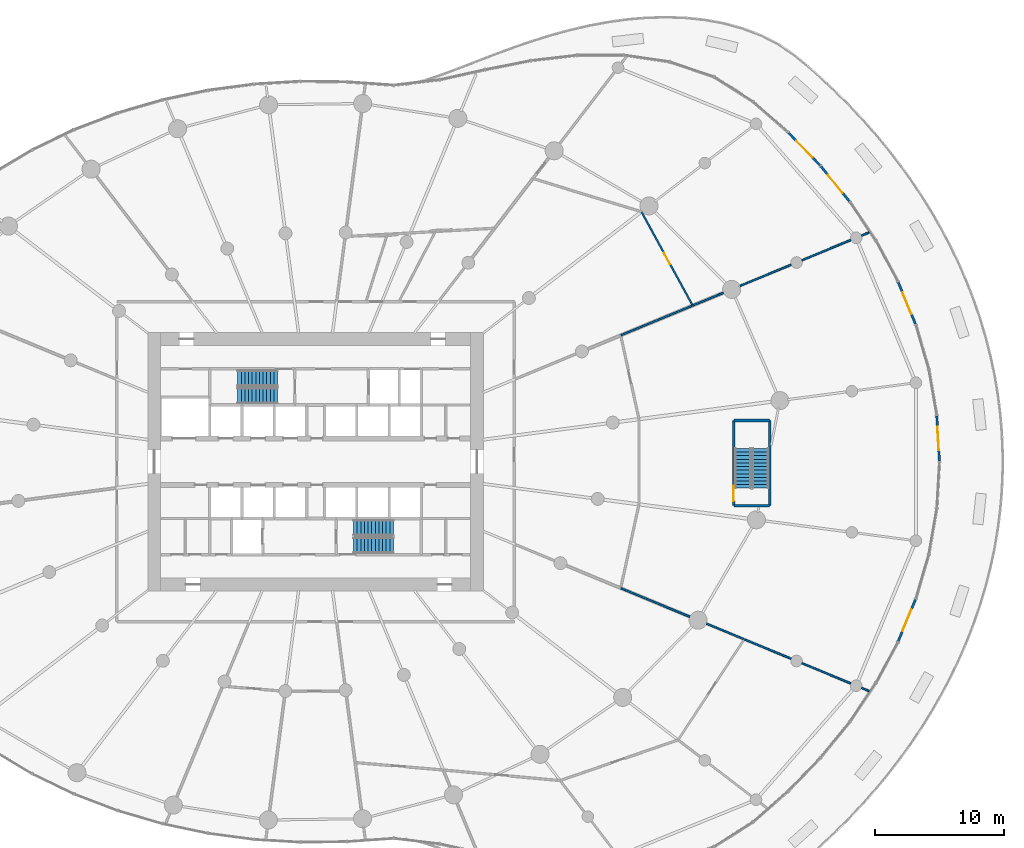
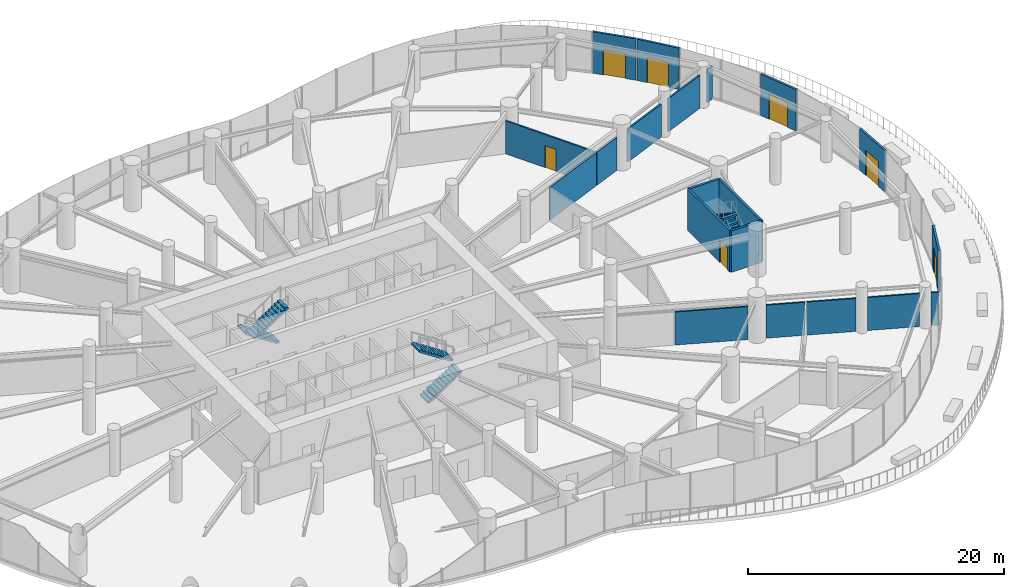
# One storey, part 16 of 21: 20 walls, 7 doors, 6 stair flights, 7 openings, 3 elements without a shape of their own.
"""IFC4 building model written with IfcOpenShell, lengths in metres."""

import ifcopenshell
import ifcopenshell.guid

model = None  # the IFC model being written
_history = None  # IfcOwnerHistory: only IFC2X3 demands one
_inside = {}  # id of a spatial element -> (the spatial element, [elements in it])
_under = {}  # id of a project, library or spatial element -> (it, [spatial elements below it])
_declared = {}  # id of a project -> (the project, [libraries it declares])
_typed = {}  # id of a type object -> (the type object, [elements of that type])
_made_of = {}  # id of a material, layer set ... -> (it, [elements and type objects made of it])


def new_model(schema):
    """Start an empty IFC model of exactly this schema.

    Asked for "IFC4X3", IfcOpenShell would pick the latest addendum, in which some entities
    have other attributes; the version numbers below select the first issue.
    IFC2X3 requires an IfcOwnerHistory on every rooted entity: one is made here for all.
    """
    global model, _history
    if schema == "IFC4X3":
        model = ifcopenshell.file(schema_version=(4, 3, 0, 0))
    else:
        model = ifcopenshell.file(schema=schema)
    _inside.clear()
    _under.clear()
    _declared.clear()
    _typed.clear()
    _made_of.clear()
    _history = None
    if model.schema == "IFC2X3":
        org = make("IfcOrganization", Name="unknown")
        user = make(
            "IfcPersonAndOrganization",
            ThePerson=make("IfcPerson", FamilyName="unknown"),
            TheOrganization=org,
        )
        app = make(
            "IfcApplication",
            ApplicationDeveloper=org,
            Version="unknown",
            ApplicationFullName="unknown",
            ApplicationIdentifier="unknown",
        )
        _history = make(
            "IfcOwnerHistory",
            OwningUser=user,
            OwningApplication=app,
            ChangeAction="ADDED",
            CreationDate=0,
        )
    return model


def make(cls, **values):
    """One entity of the class cls with the attributes given. An attribute that is None is left unset."""
    return model.create_entity(
        cls, **{name: value for name, value in values.items() if value is not None}
    )


def rooted(cls, **values):
    """An entity with a GlobalId (a new one), such as an element, a storey or a relation."""
    return make(cls, GlobalId=ifcopenshell.guid.new(), OwnerHistory=_history, **values)


def si_unit(unit_type, name, prefix=None):
    """IfcSIUnit, for example si_unit("LENGTHUNIT", "METRE", prefix="MILLI")."""
    return make("IfcSIUnit", UnitType=unit_type, Prefix=prefix, Name=name)


def assignment(units):
    """IfcUnitAssignment: the units of a project."""
    return None if units is None else make("IfcUnitAssignment", Units=units)


def point(xyz):
    """IfcCartesianPoint."""
    return None if xyz is None else make("IfcCartesianPoint", Coordinates=xyz)


def direction(xyz):
    """IfcDirection."""
    return None if xyz is None else make("IfcDirection", DirectionRatios=xyz)


def frame(location, z_axis=None, x_axis=None):
    """IfcAxis2Placement3D, a coordinate frame: its origin and axes. An axis left out is left unset."""
    return make(
        "IfcAxis2Placement3D",
        Location=point(location),
        Axis=direction(z_axis),
        RefDirection=direction(x_axis),
    )


def frame_2d(location, x_axis=None):
    """IfcAxis2Placement2D, a coordinate frame in the plane: its origin and x axis."""
    return make(
        "IfcAxis2Placement2D", Location=point(location), RefDirection=direction(x_axis)
    )


def origin():
    """The frame at (0, 0, 0) with its axes left unset."""
    return frame((0.0, 0.0, 0.0))


def place(relative_to, where):
    """IfcLocalPlacement: puts the frame where relative to a parent placement (None: the world)."""
    return make(
        "IfcLocalPlacement", PlacementRelTo=relative_to, RelativePlacement=where
    )


def context(
    kind, dimensions, precision=None, world=None, true_north=None, identifier=None
):
    """IfcGeometricRepresentationContext, for example the 3D "Model" context."""
    return make(
        "IfcGeometricRepresentationContext",
        ContextIdentifier=identifier,
        ContextType=kind,
        CoordinateSpaceDimension=dimensions,
        Precision=precision,
        WorldCoordinateSystem=world,
        TrueNorth=true_north,
    )


def subcontext(parent, identifier, kind, view, scale=None):
    """IfcGeometricRepresentationSubContext, for example "Body" below "Model"."""
    return make(
        "IfcGeometricRepresentationSubContext",
        ContextIdentifier=identifier,
        ContextType=kind,
        ParentContext=parent,
        TargetScale=scale,
        TargetView=view,
    )


def project(units=None, contexts=None):
    """IfcProject with its units and contexts."""
    return rooted(
        "IfcProject",
        Name="project",
        RepresentationContexts=contexts,
        UnitsInContext=assignment(units),
    )


def spatial(cls, under=None, at=None, **own):
    """A site, building, storey or space (cls), placed at a placement, below another one or the project."""
    s = rooted(cls, ObjectPlacement=at, **own)
    if under is not None:
        _under.setdefault(under.id(), (under, []))[1].append(s)
    return s


def point_list(points):
    """IfcCartesianPointList2D or 3D."""
    cls = (
        "IfcCartesianPointList2D" if len(points[0]) == 2 else "IfcCartesianPointList3D"
    )
    return make(cls, CoordList=points)


def line(*indices):
    """IfcLineIndex: a straight run through numbered points of an indexed curve."""
    return model.create_entity("IfcLineIndex", indices)


def indexed_curve(points, segments=None, self_intersect=None):
    """IfcIndexedPolyCurve: lines and arcs through numbered points (the first is 1)."""
    return make(
        "IfcIndexedPolyCurve",
        Points=point_list(points),
        Segments=segments,
        SelfIntersect=self_intersect,
    )


def profile(cls, at=None, kind="AREA", **sizes):
    """A parametric profile (cls). Its sizes go by their IFC names, for example OverallWidth=200.0."""
    return make(cls, ProfileType=kind, Position=at, **sizes)


def rectangle(**sizes):
    """IfcRectangleProfileDef."""
    return profile("IfcRectangleProfileDef", **sizes)


def outline(outer, holes=None, kind="AREA"):
    """IfcArbitraryClosedProfileDef: a profile drawn as a closed curve; with holes, ...WithVoids."""
    if holes is None:
        return make("IfcArbitraryClosedProfileDef", ProfileType=kind, OuterCurve=outer)
    return make(
        "IfcArbitraryProfileDefWithVoids",
        ProfileType=kind,
        OuterCurve=outer,
        InnerCurves=holes,
    )


def extrude(swept, where, along, depth):
    """IfcExtrudedAreaSolid: the profile swept, set in the frame where, extruded along a direction by depth."""
    return make(
        "IfcExtrudedAreaSolid",
        SweptArea=swept,
        Position=where,
        ExtrudedDirection=direction(along),
        Depth=depth,
    )


def shape(context_of_items, identifier, shape_type, items):
    """IfcShapeRepresentation: the items that make up one representation, for example the "Body"."""
    return make(
        "IfcShapeRepresentation",
        ContextOfItems=context_of_items,
        RepresentationIdentifier=identifier,
        RepresentationType=shape_type,
        Items=items,
    )


def source(mapping_origin, context_of_items, identifier, shape_type, items):
    """IfcRepresentationMap: a shape defined once, which mapped items show again and again."""
    return make(
        "IfcRepresentationMap",
        MappingOrigin=mapping_origin,
        MappedRepresentation=shape(context_of_items, identifier, shape_type, items),
    )


def transform(
    local_origin,
    x_axis=None,
    y_axis=None,
    z_axis=None,
    scale=None,
    scale2=None,
    scale3=None,
    uniform=True,
):
    """IfcCartesianTransformationOperator3D, or its non-uniform kind. x_axis, y_axis, z_axis: its Axis1, 2, 3."""
    if uniform:
        return make(
            "IfcCartesianTransformationOperator3D",
            Axis1=direction(x_axis),
            Axis2=direction(y_axis),
            LocalOrigin=point(local_origin),
            Scale=scale,
            Axis3=direction(z_axis),
        )
    return make(
        "IfcCartesianTransformationOperator3DnonUniform",
        Axis1=direction(x_axis),
        Axis2=direction(y_axis),
        LocalOrigin=point(local_origin),
        Scale=scale,
        Axis3=direction(z_axis),
        Scale2=scale2,
        Scale3=scale3,
    )


def mapped(mapping_source, mapping_target):
    """IfcMappedItem: shows the shape of a source again, moved by a transform."""
    return make(
        "IfcMappedItem", MappingSource=mapping_source, MappingTarget=mapping_target
    )


def material(Name=None, Category=None):
    """IfcMaterial."""
    return make("IfcMaterial", Name=Name, Category=Category)


def layer(
    of_material, thickness, ventilated=None, Name=None, Category=None, Priority=None
):
    """IfcMaterialLayer: one layer of a wall or slab, of a material (None: an air gap)."""
    return make(
        "IfcMaterialLayer",
        Material=of_material,
        LayerThickness=thickness,
        IsVentilated=ventilated,
        Name=Name,
        Category=Category,
        Priority=Priority,
    )


def layer_set(layers, Name=None):
    """IfcMaterialLayerSet."""
    return make("IfcMaterialLayerSet", MaterialLayers=layers, LayerSetName=Name)


def made_of(thing, what):
    """Note that an element or type object is made of a material, layer set ...; save() writes the relation."""
    if what is not None:
        _made_of.setdefault(what.id(), (what, []))[1].append(thing)
    return thing


def type_object(cls, material=None, **own):
    """A type object (cls), such as IfcWallType, which elements share."""
    return made_of(rooted(cls, **own), material)


def element(
    cls,
    number,
    at=None,
    inside=None,
    cuts=None,
    type_object=None,
    material=None,
    context=None,
    identifier="Body",
    shape_type=None,
    held_by="IfcProductDefinitionShape",
    body=None,
    shapes=None,
    **own,
):
    """One element of the class cls, such as IfcWall. Its Tag is "e" and its number.

    at: its placement. inside: the storey or other place that contains it. cuts: it is an
    opening in that element (IfcRelVoidsElement). A single representation is given by context,
    identifier, shape_type and body (its items); several are given by shapes. held_by: the class
    of the entity that holds the representations. save() writes the other relations.
    """
    e = rooted(cls, Tag="e%d" % number, ObjectPlacement=at, **own)
    if body is not None:
        shapes = [shape(context, identifier, shape_type, body)]
    if shapes is not None:
        e.Representation = make(held_by, Representations=shapes)
    if inside is not None:
        _inside.setdefault(inside.id(), (inside, []))[1].append(e)
    if cuts is not None:
        rooted(
            "IfcRelVoidsElement", RelatingBuildingElement=cuts, RelatedOpeningElement=e
        )
    if type_object is not None:
        _typed.setdefault(type_object.id(), (type_object, []))[1].append(e)
    return made_of(e, material)


def fill(opening, filler):
    """IfcRelFillsElement: the door or window that sits in an opening."""
    return rooted(
        "IfcRelFillsElement",
        RelatingOpeningElement=opening,
        RelatedBuildingElement=filler,
    )


def aggregate(whole, parts):
    """IfcRelAggregates: a whole, such as a stair, and the parts it consists of."""
    return rooted("IfcRelAggregates", RelatingObject=whole, RelatedObjects=parts)


def save(model, path):
    """Write the relations noted so far, then the file.

    IfcRelAggregates (storeys below a building ...), IfcRelContainedInSpatialStructure (elements
    in a storey), IfcRelDefinesByType, IfcRelAssociatesMaterial and IfcRelDeclares: one each for
    every whole, place, type object, material and project.
    """
    for whole, parts in _under.values():
        aggregate(whole, parts)
    for where, things in _inside.values():
        rooted(
            "IfcRelContainedInSpatialStructure",
            RelatedElements=things,
            RelatingStructure=where,
        )
    for kind, things in _typed.values():
        rooted("IfcRelDefinesByType", RelatedObjects=things, RelatingType=kind)
    for what, things in _made_of.values():
        rooted("IfcRelAssociatesMaterial", RelatedObjects=things, RelatingMaterial=what)
    for by, libraries in _declared.values():
        rooted("IfcRelDeclares", RelatingContext=by, RelatedDefinitions=libraries)
    model.write(path)


model = new_model("IFC4")

# Units and contexts
model_context = context("Model", 3, precision=1e-05, world=origin(), true_north=direction((0.0, 1.0)))
body_context = subcontext(model_context, "Body", "Model", "MODEL_VIEW")
ifc_project = project(units=[si_unit("LENGTHUNIT", "METRE"), si_unit("AREAUNIT", "SQUARE_METRE"), si_unit("VOLUMEUNIT", "CUBIC_METRE"), si_unit("PLANEANGLEUNIT", "RADIAN"), si_unit("MASSUNIT", "GRAM", prefix="KILO")], contexts=[model_context])

# Site, building, storey
site_placement = place(None, origin())
site = spatial("IfcSite", under=ifc_project, at=site_placement, CompositionType="ELEMENT")
building_placement = place(site_placement, origin())
building = spatial("IfcBuilding", under=site, at=building_placement, Name="Spindrift Exchange Tower", CompositionType="ELEMENT")
storey_placement = place(building_placement, frame((0.0, 0.0, 9.39990234375)))
storey = spatial("IfcBuildingStorey", under=building, at=storey_placement, Name="L02", CompositionType="ELEMENT", Elevation=9.39990234375)

# Wall, opening, door
ifc_material_1 = material(Name="Bronze anodised aluminium frame with fritted laminated glass spandrel", Category="aluminium")
ifc_layer_1 = layer(ifc_material_1, 0.179931640625)
ifc_layer_set_1 = layer_set([ifc_layer_1], Name="UNITISED FRAME WALL")
wall_type_1 = type_object("IfcWallType", Name="UNITISED FRAME WALL", PredefinedType="STANDARD", material=ifc_layer_set_1)
wall_1_placement = place(storey_placement, frame((100.347412109375, 48.044921875, 0.0), z_axis=(0.0, 0.0, 1.0), x_axis=(-0.058282742395, 0.998300116167, 0.0)))
wall_1 = element("IfcWall", 1, at=wall_1_placement, inside=storey, type_object=wall_type_1, Name="L02 Frame Wall 1", PredefinedType="STANDARD", context=body_context, shape_type="SweptSolid", body=[
    extrude(rectangle(XDim=3.5185546875, YDim=0.179931640625, at=frame_2d((1.75927734375, 0.0))), origin(), (0.0, 0.0, 1.0), 3.9501953125),
])
opening_1_placement = place(wall_1_placement, frame((0.859375, 0.0, 0.0)))
opening_1 = element("IfcOpeningElement", 2, at=opening_1_placement, cuts=wall_1, Name="Opening ED02-2", PredefinedType="OPENING", context=body_context, shape_type="SweptSolid", body=[
    extrude(rectangle(XDim=1.800048828125, YDim=2.39990234375, at=frame_2d((0.89990234375, 1.199951171875))), frame((0.0, 0.099853515625, 0.0), z_axis=(0.0, -1.0, 0.0), x_axis=(1.0, 0.0, 0.0)), (0.0, 0.0, 1.0), 0.199951171875),
])
ifc_material_2 = material(Name="Toughened laminated glass in bronze frame", Category="glass")
door_type_1 = type_object("IfcDoorType", Name="TERRACE GLASS DOOR 1800X2400", OperationType="DOUBLE_DOOR_SINGLE_SWING", PredefinedType="DOOR", material=ifc_material_2)
shared_shape_1 = source(origin(), body_context, "Body", "SweptSolid", [
    extrude(rectangle(XDim=1.800048828125, YDim=2.39990234375, at=frame_2d((0.89990234375, 1.199951171875))), frame((0.0, 0.02490234375, 0.0), z_axis=(0.0, -1.0, 0.0), x_axis=(1.0, 0.0, 0.0)), (0.0, 0.0, 1.0), 0.050048828125),
])
door_1_placement = place(opening_1_placement, origin())
door_1 = element("IfcDoor", 3, at=door_1_placement, inside=storey, type_object=door_type_1, Name="L02 Terrace Glass Door ED02-2", OperationType="DOUBLE_DOOR_SINGLE_SWING", OverallHeight=2.39990234375, OverallWidth=1.800048828125, PredefinedType="DOOR", context=body_context, shape_type="MappedRepresentation", body=[
    mapped(shared_shape_1, transform((0.0, 0.0, 0.0), scale=1.0)),
])
fill(opening_1, door_1)

wall_2_placement = place(storey_placement, frame((98.494384765625, 58.663818359375, 0.0), z_axis=(0.0, 0.0, 1.0), x_axis=(-0.381608105448, 0.924324214687, 0.0)))
wall_2 = element("IfcWall", 4, at=wall_2_placement, inside=storey, type_object=wall_type_1, Name="L02 Frame Wall 4", PredefinedType="STANDARD", context=body_context, shape_type="SweptSolid", body=[
    extrude(rectangle(XDim=3.518798828125, YDim=0.179931640625, at=frame_2d((1.75927734375, 0.0))), origin(), (0.0, 0.0, 1.0), 3.9501953125),
])
opening_2_placement = place(wall_2_placement, frame((0.859619140625, 0.0, 0.0)))
opening_2 = element("IfcOpeningElement", 5, at=opening_2_placement, cuts=wall_2, Name="Opening ED02-3", PredefinedType="OPENING", context=body_context, shape_type="SweptSolid", body=[
    extrude(rectangle(XDim=1.800048828125, YDim=2.39990234375, at=frame_2d((0.89990234375, 1.199951171875))), frame((0.0, 0.099853515625, 0.0), z_axis=(0.0, -1.0, 0.0), x_axis=(1.0, 0.0, 0.0)), (0.0, 0.0, 1.0), 0.199951171875),
])
door_2_placement = place(opening_2_placement, origin())
door_2 = element("IfcDoor", 6, at=door_2_placement, inside=storey, type_object=door_type_1, Name="L02 Terrace Glass Door ED02-3", OperationType="DOUBLE_DOOR_SINGLE_SWING", OverallHeight=2.39990234375, OverallWidth=1.800048828125, PredefinedType="DOOR", context=body_context, shape_type="MappedRepresentation", body=[
    mapped(shared_shape_1, transform((0.0, 0.0, 0.0), scale=1.0)),
])
fill(opening_2, door_2)

wall_3_placement = place(storey_placement, frame((93.383056640625, 68.1669921875, 0.0), z_axis=(0.0, 0.0, 1.0), x_axis=(-0.631313121726, 0.775528040974, 0.0)))
wall_3 = element("IfcWall", 7, at=wall_3_placement, inside=storey, type_object=wall_type_1, Name="L02 Frame Wall 7", PredefinedType="STANDARD", context=body_context, shape_type="SweptSolid", body=[
    extrude(rectangle(XDim=3.51953125, YDim=0.179931640625, at=frame_2d((1.759765625, 0.0))), origin(), (0.0, 0.0, 1.0), 3.9501953125),
])
opening_3_placement = place(wall_3_placement, frame((0.859619140625, 0.0, 0.0)))
opening_3 = element("IfcOpeningElement", 8, at=opening_3_placement, cuts=wall_3, Name="Opening ED02-4", PredefinedType="OPENING", context=body_context, shape_type="SweptSolid", body=[
    extrude(rectangle(XDim=1.800048828125, YDim=2.39990234375, at=frame_2d((0.89990234375, 1.199951171875))), frame((0.0, 0.099853515625, 0.0), z_axis=(0.0, -1.0, 0.0), x_axis=(1.0, 0.0, 0.0)), (0.0, 0.0, 1.0), 0.199951171875),
])
door_3_placement = place(opening_3_placement, origin())
door_3 = element("IfcDoor", 9, at=door_3_placement, inside=storey, type_object=door_type_1, Name="L02 Terrace Glass Door ED02-4", OperationType="DOUBLE_DOOR_SINGLE_SWING", OverallHeight=2.39990234375, OverallWidth=1.800048828125, PredefinedType="DOOR", context=body_context, shape_type="MappedRepresentation", body=[
    mapped(shared_shape_1, transform((0.0, 0.0, 0.0), scale=1.0)),
])
fill(opening_3, door_3)

wall_4_placement = place(storey_placement, frame((91.1015625, 70.963623046875, 0.0), z_axis=(0.0, 0.0, 1.0), x_axis=(-0.695392540052, 0.718630096253, 0.0)))
wall_4 = element("IfcWall", 10, at=wall_4_placement, inside=storey, type_object=wall_type_1, Name="L02 Frame Wall 8", PredefinedType="STANDARD", context=body_context, shape_type="SweptSolid", body=[
    extrude(rectangle(XDim=3.51953125, YDim=0.179931640625, at=frame_2d((1.759765625, 0.0))), origin(), (0.0, 0.0, 1.0), 3.9501953125),
])
opening_4_placement = place(wall_4_placement, frame((0.85986328125, 0.0, 0.0)))
opening_4 = element("IfcOpeningElement", 11, at=opening_4_placement, cuts=wall_4, Name="Opening ED02-5", PredefinedType="OPENING", context=body_context, shape_type="SweptSolid", body=[
    extrude(rectangle(XDim=1.800048828125, YDim=2.39990234375, at=frame_2d((0.89990234375, 1.199951171875))), frame((0.0, 0.099853515625, 0.0), z_axis=(0.0, -1.0, 0.0), x_axis=(1.0, 0.0, 0.0)), (0.0, 0.0, 1.0), 0.199951171875),
])
door_4_placement = place(opening_4_placement, origin())
door_4 = element("IfcDoor", 12, at=door_4_placement, inside=storey, type_object=door_type_1, Name="L02 Terrace Glass Door ED02-5", OperationType="DOUBLE_DOOR_SINGLE_SWING", OverallHeight=2.39990234375, OverallWidth=1.800048828125, PredefinedType="DOOR", context=body_context, shape_type="MappedRepresentation", body=[
    mapped(shared_shape_1, transform((0.0, 0.0, 0.0), scale=1.0)),
])
fill(opening_4, door_4)

wall_5_placement = place(storey_placement, frame((97.151611328125, 34.083740234375, 0.0), z_axis=(0.0, 0.0, 1.0), x_axis=(0.381608105448, 0.924324214687, 0.0)))
wall_5 = element("IfcWall", 13, at=wall_5_placement, inside=storey, type_object=wall_type_1, Name="L02 Frame Wall 64", PredefinedType="STANDARD", context=body_context, shape_type="SweptSolid", body=[
    extrude(rectangle(XDim=3.518798828125, YDim=0.179931640625, at=frame_2d((1.75927734375, 0.0))), origin(), (0.0, 0.0, 1.0), 3.9501953125),
])
opening_5_placement = place(wall_5_placement, frame((0.859375, 0.0, 0.0)))
opening_5 = element("IfcOpeningElement", 14, at=opening_5_placement, cuts=wall_5, Name="Opening ED02-1", PredefinedType="OPENING", context=body_context, shape_type="SweptSolid", body=[
    extrude(rectangle(XDim=1.800048828125, YDim=2.39990234375, at=frame_2d((0.89990234375, 1.199951171875))), frame((0.0, 0.099853515625, 0.0), z_axis=(0.0, -1.0, 0.0), x_axis=(1.0, 0.0, 0.0)), (0.0, 0.0, 1.0), 0.199951171875),
])
door_5_placement = place(opening_5_placement, origin())
door_5 = element("IfcDoor", 15, at=door_5_placement, inside=storey, type_object=door_type_1, Name="L02 Terrace Glass Door ED02-1", OperationType="DOUBLE_DOOR_SINGLE_SWING", OverallHeight=2.39990234375, OverallWidth=1.800048828125, PredefinedType="DOOR", context=body_context, shape_type="MappedRepresentation", body=[
    mapped(shared_shape_1, transform((0.0, 0.0, 0.0), scale=1.0)),
])
fill(opening_5, door_5)

# Walls
ifc_material_3 = material(Name="Fire-rated plasterboard partition", Category="gypsum")
ifc_layer_2 = layer(ifc_material_3, 0.139892578125)
ifc_layer_set_2 = layer_set([ifc_layer_2], Name="W-PART-140")
wall_type_2 = type_object("IfcWallType", Name="W-PART-140", PredefinedType="PARTITIONING", material=ifc_layer_set_2)
wall_6_placement = place(storey_placement, frame((84.900146484375, 61.627685546875, 0.0), z_axis=(0.0, 0.0, 1.0), x_axis=(0.923871522787, 0.382702768979, 0.0)))
element("IfcWall", 16, at=wall_6_placement, inside=storey, type_object=wall_type_2, Name="L02 Partition wall 96", PredefinedType="PARTITIONING", context=body_context, shape_type="SweptSolid", body=[
    extrude(rectangle(XDim=4.280029296875, YDim=0.139892578125, at=frame_2d((2.14013671875, 0.0))), origin(), (0.0, 0.0, 1.0), 3.150146484375),
])
for number, where, z_axis, x_axis, name in (
    (17, (89.695068359375, 32.38623046875, 0.0), (0.0, 0.0, 1.0), (0.92386621601, -0.382715579661, 0.0), "L02 Partition wall 98"),
    (18, (89.695068359375, 63.61376953125, 0.0), (0.0, 0.0, 1.0), (0.92386621601, 0.382715579661, 0.0), "L02 Partition wall 99"),
):
    element("IfcWall", number, at=place(storey_placement, frame(where, z_axis=z_axis, x_axis=x_axis)), inside=storey, type_object=wall_type_2, Name=name, PredefinedType="PARTITIONING", context=body_context, shape_type="SweptSolid", body=[
        extrude(rectangle(XDim=4.089599609375, YDim=0.139892578125, at=frame_2d((2.044921875, 0.0))), origin(), (0.0, 0.0, 1.0), 3.150146484375),
    ])
wall_7_placement = place(storey_placement, frame((85.2470703125, 34.228515625, 0.0), z_axis=(0.0, 0.0, 1.0), x_axis=(0.92387965154, -0.382683145003, 0.0)))
element("IfcWall", 19, at=wall_7_placement, inside=storey, type_object=wall_type_2, Name="L02 Partition wall 101", PredefinedType="PARTITIONING", context=body_context, shape_type="SweptSolid", body=[
    extrude(rectangle(XDim=3.904296875, YDim=0.139892578125, at=frame_2d((1.9521484375, 0.0))), origin(), (0.0, 0.0, 1.0), 3.150146484375),
])
wall_8_placement = place(storey_placement, frame((81.25390625, 60.1171875, 0.0), z_axis=(0.0, 0.0, 1.0), x_axis=(0.923860824757, 0.382728593756, 0.0)))
element("IfcWall", 20, at=wall_8_placement, inside=storey, type_object=wall_type_2, Name="L02 Partition wall 117", PredefinedType="PARTITIONING", context=body_context, shape_type="SweptSolid", body=[
    extrude(rectangle(XDim=2.536865234375, YDim=0.139892578125, at=frame_2d((1.2685546875, 0.0))), origin(), (0.0, 0.0, 1.0), 3.150146484375),
])
for number, where, z_axis, x_axis, name in (
    (21, (94.314208984375, 30.472900390625, 0.0), (0.0, 0.0, 1.0), (0.923861804277, -0.382726229306, 0.0), "L02 Partition wall 134"),
    (22, (94.314208984375, 65.527099609375, 0.0), (0.0, 0.0, 1.0), (0.923861804277, 0.382726229306, 0.0), "L02 Partition wall 135"),
):
    element("IfcWall", number, at=place(storey_placement, frame(where, z_axis=z_axis, x_axis=x_axis)), inside=storey, type_object=wall_type_2, Name=name, PredefinedType="PARTITIONING", context=body_context, shape_type="SweptSolid", body=[
        extrude(rectangle(XDim=0.633544921875, YDim=0.139892578125, at=frame_2d((0.31689453125, 0.0))), origin(), (0.0, 0.0, 1.0), 3.150146484375),
    ])

# Wall, opening, door
ifc_layer_3 = layer(ifc_material_3, 0.139892578125)
ifc_layer_set_3 = layer_set([ifc_layer_3], Name="W-PLANT-140")
wall_type_3 = type_object("IfcWallType", Name="W-PLANT-140", PredefinedType="PARTITIONING", material=ifc_layer_set_3)
wall_9_placement = place(storey_placement, frame((77.26611328125, 67.349853515625, 0.0), z_axis=(0.0, 0.0, 1.0), x_axis=(0.479691047334, -0.877437461651, 0.0)))
wall_9 = element("IfcWall", 23, at=wall_9_placement, inside=storey, type_object=wall_type_3, Name="L02 Partition wall 80", PredefinedType="PARTITIONING", context=body_context, shape_type="SweptSolid", body=[
    extrude(rectangle(XDim=8.255859375, YDim=0.139892578125, at=frame_2d((4.1279296875, 0.0))), origin(), (0.0, 0.0, 1.0), 3.150146484375),
])
opening_6_placement = place(wall_9_placement, frame((3.60595703125, 0.0, 0.0)))
opening_6 = element("IfcOpeningElement", 24, at=opening_6_placement, cuts=wall_9, Name="Opening L02-D27", PredefinedType="OPENING", context=body_context, shape_type="SweptSolid", body=[
    extrude(rectangle(XDim=1.0, YDim=2.10009765625, at=frame_2d((0.5, 1.050048828125))), frame((0.0, 0.079833984375, 0.0), z_axis=(0.0, -1.0, 0.0), x_axis=(1.0, 0.0, 0.0)), (0.0, 0.0, 1.0), 0.159912109375),
])
ifc_material_4 = material(Name="Timber-core fire door", Category="wood")
door_type_2 = type_object("IfcDoorType", Name="DR-ROOM-1000", OperationType="NOTDEFINED", PredefinedType="DOOR", material=ifc_material_4)
shared_shape_2 = source(origin(), body_context, "Body", "SweptSolid", [
    extrude(rectangle(XDim=1.0, YDim=2.10009765625, at=frame_2d((0.5, 1.050048828125))), frame((0.0, 0.02490234375, 0.0), z_axis=(0.0, -1.0, 0.0), x_axis=(1.0, 0.0, 0.0)), (0.0, 0.0, 1.0), 0.050048828125),
])
door_6_placement = place(opening_6_placement, origin())
door_6 = element("IfcDoor", 25, at=door_6_placement, inside=storey, type_object=door_type_2, Name="L02 Door 27", OperationType="SINGLE_SWING_LEFT", OverallHeight=2.10009765625, OverallWidth=1.0, PredefinedType="DOOR", context=body_context, shape_type="MappedRepresentation", body=[
    mapped(shared_shape_2, transform((0.0, 0.0, 0.0), scale=1.0)),
])
fill(opening_6, door_6)

# Walls
wall_10_placement = place(storey_placement, frame((75.677490234375, 57.8076171875, 0.0), z_axis=(0.0, 0.0, 1.0), x_axis=(0.923888996988, 0.382660582297, 0.0)))
element("IfcWall", 26, at=wall_10_placement, inside=storey, type_object=wall_type_3, Name="L02 Partition wall 87", PredefinedType="PARTITIONING", context=body_context, shape_type="SweptSolid", body=[
    extrude(rectangle(XDim=5.935302734375, YDim=0.139892578125, at=frame_2d((2.9677734375, 0.0))), origin(), (0.0, 0.0, 1.0), 3.150146484375),
])
wall_11_placement = place(storey_placement, frame((75.677490234375, 38.1923828125, 0.0), z_axis=(0.0, 0.0, 1.0), x_axis=(0.923874610175, -0.38269531572, 0.0)))
element("IfcWall", 27, at=wall_11_placement, inside=storey, type_object=wall_type_3, Name="L02 Partition wall 88", PredefinedType="PARTITIONING", context=body_context, shape_type="SweptSolid", body=[
    extrude(rectangle(XDim=5.753662109375, YDim=0.139892578125, at=frame_2d((2.876953125, 0.0))), origin(), (0.0, 0.0, 1.0), 3.150146484375),
])
wall_12_placement = place(storey_placement, frame((82.2958984375, 35.450927734375, 0.0), z_axis=(0.0, 0.0, 1.0), x_axis=(0.923889850499, -0.382658521591, 0.0)))
element("IfcWall", 28, at=wall_12_placement, inside=storey, type_object=wall_type_3, Name="L02 Partition wall 109", PredefinedType="PARTITIONING", context=body_context, shape_type="SweptSolid", body=[
    extrude(rectangle(XDim=3.093017578125, YDim=0.139892578125, at=frame_2d((1.54638671875, 0.0))), origin(), (0.0, 0.0, 1.0), 3.150146484375),
])
ifc_material_5 = material(Name="Concrete 40 MPa", Category="concrete")
ifc_layer_4 = layer(ifc_material_5, 0.199951171875)
ifc_layer_set_4 = layer_set([ifc_layer_4], Name="W-SHAFT-200-LB")
wall_type_4 = type_object("IfcWallType", Name="W-SHAFT-200-LB", PredefinedType="SOLIDWALL", material=ifc_layer_set_4)
wall_13_placement = place(storey_placement, frame((87.199951171875, 44.60009765625, 0.0), z_axis=(0.0, 0.0, 1.0), x_axis=(0.0, 1.0, 0.0)))
element("IfcWall", 29, at=wall_13_placement, inside=storey, type_object=wall_type_4, Name="L02 Shaft wall 3", PredefinedType="SOLIDWALL", context=body_context, shape_type="SweptSolid", body=[
    extrude(rectangle(XDim=6.599853515625, YDim=0.199951171875, at=frame_2d((3.2998046875, 0.0))), origin(), (0.0, 0.0, 1.0), 3.9501953125),
])

# Wall, opening, door
wall_14_placement = place(storey_placement, frame((84.39990234375, 51.199951171875, 0.0), z_axis=(0.0, 0.0, 1.0), x_axis=(0.0, -1.0, 0.0)))
wall_14 = element("IfcWall", 30, at=wall_14_placement, inside=storey, type_object=wall_type_4, Name="L02 Shaft wall 4", PredefinedType="SOLIDWALL", context=body_context, shape_type="SweptSolid", body=[
    extrude(rectangle(XDim=6.599853515625, YDim=0.199951171875, at=frame_2d((3.2998046875, 0.0))), origin(), (0.0, 0.0, 1.0), 3.9501953125),
])
opening_7_placement = place(wall_14_placement, frame((5.050048828125, 0.0, 0.0)))
opening_7 = element("IfcOpeningElement", 31, at=opening_7_placement, cuts=wall_14, Name="Opening L02-D44", PredefinedType="OPENING", context=body_context, shape_type="SweptSolid", body=[
    extrude(rectangle(XDim=1.199951171875, YDim=2.10009765625, at=frame_2d((0.60009765625, 1.050048828125))), frame((0.0, 0.10986328125, 0.0), z_axis=(0.0, -1.0, 0.0), x_axis=(1.0, 0.0, 0.0)), (0.0, 0.0, 1.0), 0.219970703125),
])
ifc_material_6 = material(Name="Steel fire door", Category="steel")
door_type_3 = type_object("IfcDoorType", Name="DR-STAIR-1200", OperationType="NOTDEFINED", PredefinedType="DOOR", material=ifc_material_6)
shared_shape_3 = source(origin(), body_context, "Body", "SweptSolid", [
    extrude(rectangle(XDim=1.199951171875, YDim=2.10009765625, at=frame_2d((0.60009765625, 1.050048828125))), frame((0.0, 0.02490234375, 0.0), z_axis=(0.0, -1.0, 0.0), x_axis=(1.0, 0.0, 0.0)), (0.0, 0.0, 1.0), 0.050048828125),
])
door_7_placement = place(opening_7_placement, origin())
door_7 = element("IfcDoor", 32, at=door_7_placement, inside=storey, type_object=door_type_3, Name="L02 Stair door 44", OperationType="SINGLE_SWING_RIGHT", OverallHeight=2.10009765625, OverallWidth=1.199951171875, PredefinedType="DOOR", context=body_context, shape_type="MappedRepresentation", body=[
    mapped(shared_shape_3, transform((0.0, 0.0, 0.0), scale=1.0)),
])
fill(opening_7, door_7)

# Walls
for number, where, z_axis, x_axis, name in (
    (33, (84.429931640625, 44.60009765625, 0.0), (0.0, 0.0, 1.0), (1.0, 0.0, 0.0), "L02 Shaft wall 17"),
    (34, (87.169921875, 51.199951171875, 0.0), (0.0, 0.0, 1.0), (-1.0, 0.0, 0.0), "L02 Shaft wall 18"),
):
    element("IfcWall", number, at=place(storey_placement, frame(where, z_axis=z_axis, x_axis=x_axis)), inside=storey, type_object=wall_type_4, Name=name, PredefinedType="SOLIDWALL", context=body_context, shape_type="SweptSolid", body=[
        extrude(rectangle(XDim=2.739990234375, YDim=0.199951171875, at=frame_2d((1.3701171875, 0.0))), origin(), (0.0, 0.0, 1.0), 3.9501953125),
    ])

# Stair, stair flights
ifc_material_7 = material(Name="Concrete 50 MPa", Category="concrete")
stair_type = type_object("IfcStairType", Name="ST-1250-R183", PredefinedType="HALF_TURN_STAIR", material=ifc_material_7)
stair_1_placement = place(storey_placement, origin())
stair_1 = element("IfcStair", 35, at=stair_1_placement, inside=storey, type_object=stair_type, Name="L02 Exit stair ST1", PredefinedType="HALF_TURN_STAIR")
stair_flight_type = type_object("IfcStairFlightType", Name="STF-1250-R183", PredefinedType="STRAIGHT", material=ifc_material_7)
stair_flight_1_placement = place(storey_placement, frame((49.050048828125, 54.47509765625, 0.0), z_axis=(0.0, 0.0, 1.0), x_axis=(-1.0, 0.0, 0.0)))
stair_flight_1 = element("IfcStairFlight", 36, at=stair_flight_1_placement, type_object=stair_flight_type, Name="ST1 flight 1", NumberOfRisers=12, NumberOfTreads=11, PredefinedType="STRAIGHT", RiserHeight=0.183333333, TreadLength=0.28, context=body_context, shape_type="SweptSolid", body=[
    extrude(outline(indexed_curve([(0.0, 0.0), (0.0, 0.18359375), (0.2802734375, 0.18359375), (0.2802734375, 0.3662109375), (0.5595703125, 0.3662109375), (0.5595703125, 0.5498046875), (0.83984375, 0.5498046875), (0.83984375, 0.7333984375), (1.1201171875, 0.7333984375), (1.1201171875, 0.9169921875), (1.400390625, 0.9169921875), (1.400390625, 1.099609375), (1.6796875, 1.099609375), (1.6796875, 1.283203125), (1.9599609375, 1.283203125), (1.9599609375, 1.466796875), (2.240234375, 1.466796875), (2.240234375, 1.650390625), (2.51953125, 1.650390625), (2.51953125, 1.8330078125), (2.7998046875, 1.8330078125), (2.7998046875, 2.0166015625), (3.080078125, 2.0166015625), (3.080078125, 2.2001953125), (3.080078125, 1.837890625), (0.2734375, 0.0)], segments=[line(1, 2, 3, 4, 5, 6, 7, 8, 9, 10, 11, 12, 13, 14, 15, 16, 17, 18, 19, 20, 21, 22, 23, 24, 25, 26, 1)], self_intersect=False)), frame((0.0, 0.625, 0.0), z_axis=(0.0, -1.0, 0.0), x_axis=(1.0, 0.0, 0.0)), (0.0, 0.0, 1.0), 1.25),
])
stair_flight_2_placement = place(storey_placement, frame((45.969970703125, 53.125, 2.2001953125), z_axis=(0.0, 0.0, 1.0), x_axis=(1.0, 0.0, 0.0)))
stair_flight_2 = element("IfcStairFlight", 37, at=stair_flight_2_placement, type_object=stair_flight_type, Name="ST1 flight 2", NumberOfRisers=12, NumberOfTreads=11, PredefinedType="STRAIGHT", RiserHeight=0.183333333, TreadLength=0.28, context=body_context, shape_type="SweptSolid", body=[
    extrude(outline(indexed_curve([(0.0, 0.0), (0.0, 0.18359375), (0.2802734375, 0.18359375), (0.2802734375, 0.3662109375), (0.5595703125, 0.3662109375), (0.5595703125, 0.5498046875), (0.83984375, 0.5498046875), (0.83984375, 0.7333984375), (1.1201171875, 0.7333984375), (1.1201171875, 0.9169921875), (1.400390625, 0.9169921875), (1.400390625, 1.099609375), (1.6796875, 1.099609375), (1.6796875, 1.283203125), (1.9599609375, 1.283203125), (1.9599609375, 1.466796875), (2.240234375, 1.466796875), (2.240234375, 1.650390625), (2.51953125, 1.650390625), (2.51953125, 1.8330078125), (2.7998046875, 1.8330078125), (2.7998046875, 2.0166015625), (3.080078125, 2.0166015625), (3.080078125, 2.2001953125), (3.080078125, 1.837890625), (0.2734375, 0.0)], segments=[line(1, 2, 3, 4, 5, 6, 7, 8, 9, 10, 11, 12, 13, 14, 15, 16, 17, 18, 19, 20, 21, 22, 23, 24, 25, 26, 1)], self_intersect=False)), frame((0.0, 0.625, 0.0), z_axis=(0.0, -1.0, 0.0), x_axis=(1.0, 0.0, 0.0)), (0.0, 0.0, 1.0), 1.25),
])
aggregate(stair_1, [stair_flight_1, stair_flight_2])

stair_2_placement = place(storey_placement, origin())
stair_2 = element("IfcStair", 38, at=stair_2_placement, inside=storey, type_object=stair_type, Name="L02 Exit stair ST2", PredefinedType="HALF_TURN_STAIR")
stair_flight_3_placement = place(storey_placement, frame((54.949951171875, 41.52490234375, 0.0), z_axis=(0.0, 0.0, 1.0), x_axis=(1.0, 0.0, 0.0)))
stair_flight_3 = element("IfcStairFlight", 39, at=stair_flight_3_placement, type_object=stair_flight_type, Name="ST2 flight 1", NumberOfRisers=12, NumberOfTreads=11, PredefinedType="STRAIGHT", RiserHeight=0.183333333, TreadLength=0.28, context=body_context, shape_type="SweptSolid", body=[
    extrude(outline(indexed_curve([(0.0, 0.0), (0.0, 0.18359375), (0.2802734375, 0.18359375), (0.2802734375, 0.3662109375), (0.5595703125, 0.3662109375), (0.5595703125, 0.5498046875), (0.83984375, 0.5498046875), (0.83984375, 0.7333984375), (1.1201171875, 0.7333984375), (1.1201171875, 0.9169921875), (1.400390625, 0.9169921875), (1.400390625, 1.099609375), (1.6796875, 1.099609375), (1.6796875, 1.283203125), (1.9599609375, 1.283203125), (1.9599609375, 1.466796875), (2.240234375, 1.466796875), (2.240234375, 1.650390625), (2.51953125, 1.650390625), (2.51953125, 1.8330078125), (2.7998046875, 1.8330078125), (2.7998046875, 2.0166015625), (3.080078125, 2.0166015625), (3.080078125, 2.2001953125), (3.080078125, 1.837890625), (0.2734375, 0.0)], segments=[line(1, 2, 3, 4, 5, 6, 7, 8, 9, 10, 11, 12, 13, 14, 15, 16, 17, 18, 19, 20, 21, 22, 23, 24, 25, 26, 1)], self_intersect=False)), frame((0.0, 0.625, 0.0), z_axis=(0.0, -1.0, 0.0), x_axis=(1.0, 0.0, 0.0)), (0.0, 0.0, 1.0), 1.25),
])
stair_flight_4_placement = place(storey_placement, frame((58.030029296875, 42.875, 2.2001953125), z_axis=(0.0, 0.0, 1.0), x_axis=(-1.0, 0.0, 0.0)))
stair_flight_4 = element("IfcStairFlight", 40, at=stair_flight_4_placement, type_object=stair_flight_type, Name="ST2 flight 2", NumberOfRisers=12, NumberOfTreads=11, PredefinedType="STRAIGHT", RiserHeight=0.183333333, TreadLength=0.28, context=body_context, shape_type="SweptSolid", body=[
    extrude(outline(indexed_curve([(0.0, 0.0), (0.0, 0.18359375), (0.2802734375, 0.18359375), (0.2802734375, 0.3662109375), (0.5595703125, 0.3662109375), (0.5595703125, 0.5498046875), (0.83984375, 0.5498046875), (0.83984375, 0.7333984375), (1.1201171875, 0.7333984375), (1.1201171875, 0.9169921875), (1.400390625, 0.9169921875), (1.400390625, 1.099609375), (1.6796875, 1.099609375), (1.6796875, 1.283203125), (1.9599609375, 1.283203125), (1.9599609375, 1.466796875), (2.240234375, 1.466796875), (2.240234375, 1.650390625), (2.51953125, 1.650390625), (2.51953125, 1.8330078125), (2.7998046875, 1.8330078125), (2.7998046875, 2.0166015625), (3.080078125, 2.0166015625), (3.080078125, 2.2001953125), (3.080078125, 1.837890625), (0.2734375, 0.0)], segments=[line(1, 2, 3, 4, 5, 6, 7, 8, 9, 10, 11, 12, 13, 14, 15, 16, 17, 18, 19, 20, 21, 22, 23, 24, 25, 26, 1)], self_intersect=False)), frame((0.0, 0.625, 0.0), z_axis=(0.0, -1.0, 0.0), x_axis=(1.0, 0.0, 0.0)), (0.0, 0.0, 1.0), 1.25),
])
aggregate(stair_2, [stair_flight_3, stair_flight_4])

stair_3_placement = place(storey_placement, origin())
stair_3 = element("IfcStair", 41, at=stair_3_placement, inside=storey, type_object=stair_type, Name="L02 Exit stair ST5", PredefinedType="HALF_TURN_STAIR")
stair_flight_5_placement = place(storey_placement, frame((86.47509765625, 45.949951171875, 0.0), z_axis=(0.0, 0.0, 1.0), x_axis=(0.0, 1.0, 0.0)))
stair_flight_5 = element("IfcStairFlight", 42, at=stair_flight_5_placement, type_object=stair_flight_type, Name="ST5 flight 1", NumberOfRisers=12, NumberOfTreads=11, PredefinedType="STRAIGHT", RiserHeight=0.183333333, TreadLength=0.28, context=body_context, shape_type="SweptSolid", body=[
    extrude(outline(indexed_curve([(0.0, 0.0), (0.0, 0.18359375), (0.2802734375, 0.18359375), (0.2802734375, 0.3662109375), (0.5595703125, 0.3662109375), (0.5595703125, 0.5498046875), (0.83984375, 0.5498046875), (0.83984375, 0.7333984375), (1.1201171875, 0.7333984375), (1.1201171875, 0.9169921875), (1.400390625, 0.9169921875), (1.400390625, 1.099609375), (1.6796875, 1.099609375), (1.6796875, 1.283203125), (1.9599609375, 1.283203125), (1.9599609375, 1.466796875), (2.240234375, 1.466796875), (2.240234375, 1.650390625), (2.51953125, 1.650390625), (2.51953125, 1.8330078125), (2.7998046875, 1.8330078125), (2.7998046875, 2.0166015625), (3.080078125, 2.0166015625), (3.080078125, 2.2001953125), (3.080078125, 1.837890625), (0.2734375, 0.0)], segments=[line(1, 2, 3, 4, 5, 6, 7, 8, 9, 10, 11, 12, 13, 14, 15, 16, 17, 18, 19, 20, 21, 22, 23, 24, 25, 26, 1)], self_intersect=False)), frame((0.0, 0.625, 0.0), z_axis=(0.0, -1.0, 0.0), x_axis=(1.0, 0.0, 0.0)), (0.0, 0.0, 1.0), 1.25),
])
stair_flight_6_placement = place(storey_placement, frame((85.125, 49.030029296875, 2.2001953125), z_axis=(0.0, 0.0, 1.0), x_axis=(0.0, -1.0, 0.0)))
stair_flight_6 = element("IfcStairFlight", 43, at=stair_flight_6_placement, type_object=stair_flight_type, Name="ST5 flight 2", NumberOfRisers=12, NumberOfTreads=11, PredefinedType="STRAIGHT", RiserHeight=0.183333333, TreadLength=0.28, context=body_context, shape_type="SweptSolid", body=[
    extrude(outline(indexed_curve([(0.0, 0.0), (0.0, 0.18359375), (0.2802734375, 0.18359375), (0.2802734375, 0.3662109375), (0.5595703125, 0.3662109375), (0.5595703125, 0.5498046875), (0.83984375, 0.5498046875), (0.83984375, 0.7333984375), (1.1201171875, 0.7333984375), (1.1201171875, 0.9169921875), (1.400390625, 0.9169921875), (1.400390625, 1.099609375), (1.6796875, 1.099609375), (1.6796875, 1.283203125), (1.9599609375, 1.283203125), (1.9599609375, 1.466796875), (2.240234375, 1.466796875), (2.240234375, 1.650390625), (2.51953125, 1.650390625), (2.51953125, 1.8330078125), (2.7998046875, 1.8330078125), (2.7998046875, 2.0166015625), (3.080078125, 2.0166015625), (3.080078125, 2.2001953125), (3.080078125, 1.837890625), (0.2734375, 0.0)], segments=[line(1, 2, 3, 4, 5, 6, 7, 8, 9, 10, 11, 12, 13, 14, 15, 16, 17, 18, 19, 20, 21, 22, 23, 24, 25, 26, 1)], self_intersect=False)), frame((0.0, 0.625, 0.0), z_axis=(0.0, -1.0, 0.0), x_axis=(1.0, 0.0, 0.0)), (0.0, 0.0, 1.0), 1.25),
])
aggregate(stair_3, [stair_flight_5, stair_flight_6])

save(model, "model.ifc")
